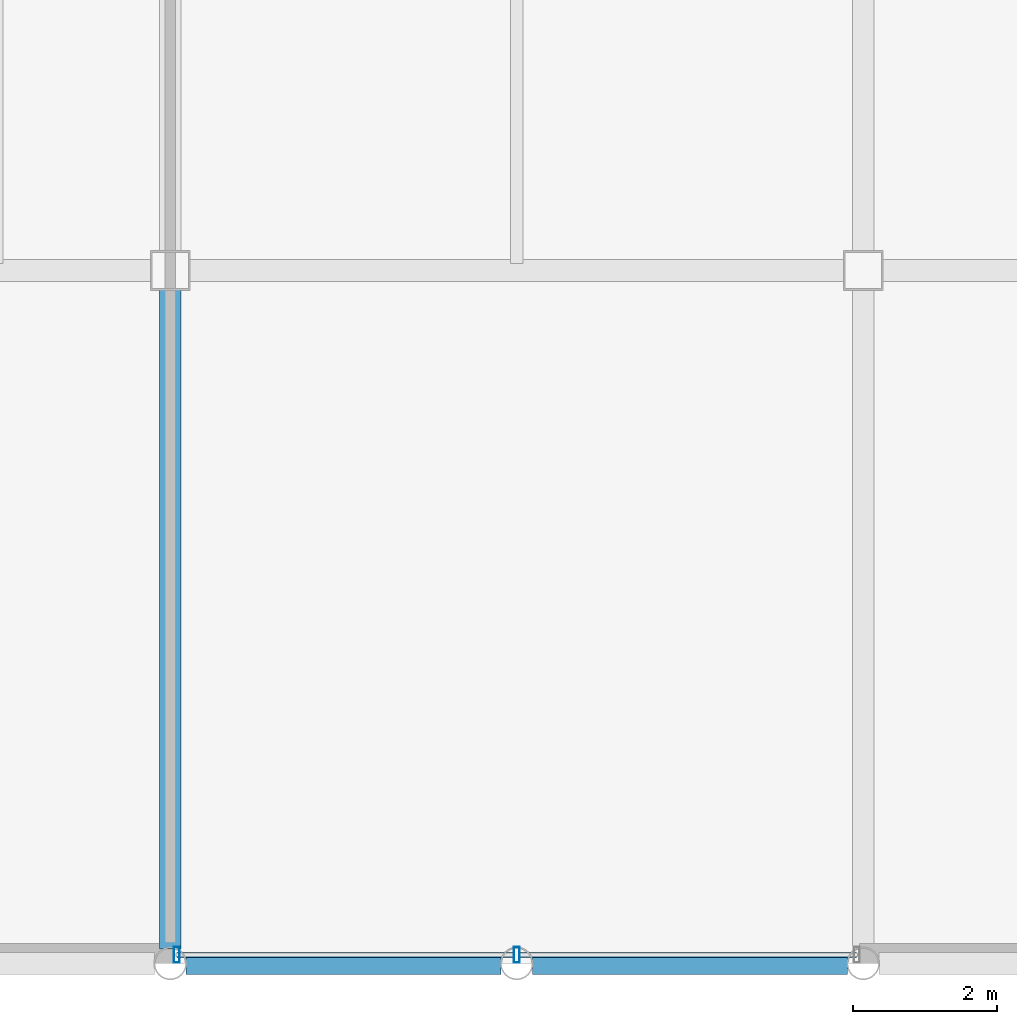
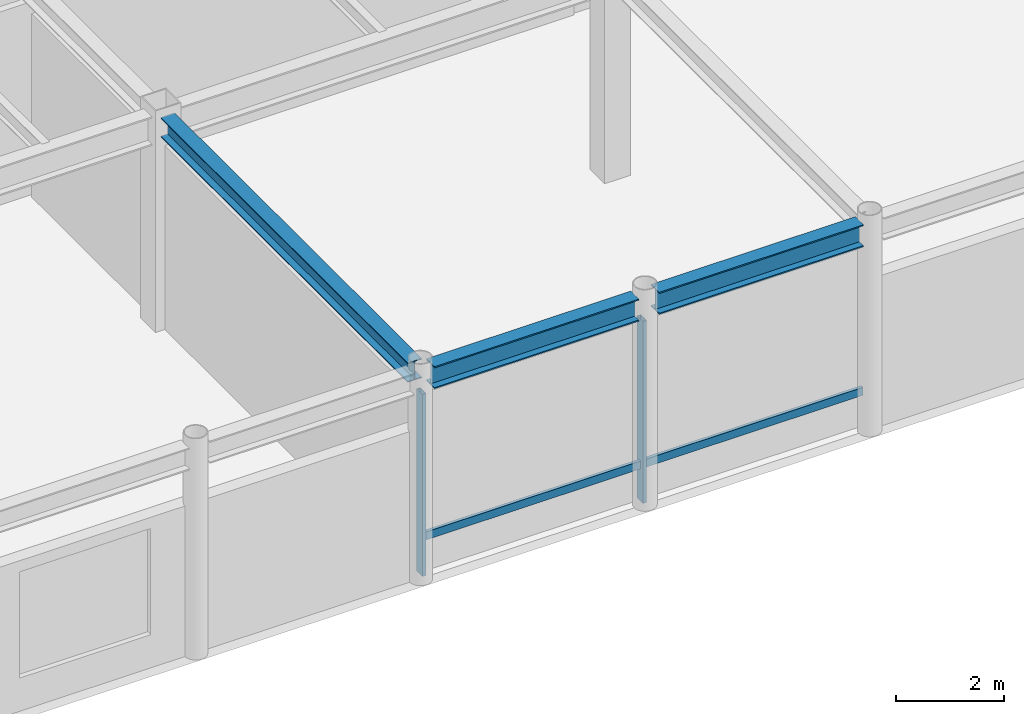
# One storey, part 5 of 21: 4 members, 3 beams, 1 element without a shape of its own.
"""IFC4 building model written with IfcOpenShell, lengths in metres."""

from ifc_helpers import new_model, si_unit, direction, frame, origin, origin_2d, place, context, subcontext, project, spatial, hollow_rectangle, i_section, extrude, material, layer, layer_set, material_profile, profile_set, type_object, element, aggregate, save


model = new_model("IFC4")

# Units and contexts
model_context = context("Model", 3, precision=1e-05, world=origin(), true_north=direction((0.0, 1.0)))
body_context = subcontext(model_context, "Body", "Model", "MODEL_VIEW")
ifc_project = project(units=[si_unit("LENGTHUNIT", "METRE"), si_unit("AREAUNIT", "SQUARE_METRE"), si_unit("VOLUMEUNIT", "CUBIC_METRE"), si_unit("PLANEANGLEUNIT", "RADIAN"), si_unit("MASSUNIT", "GRAM", prefix="KILO")], contexts=[model_context])

# Site, building, storey
site_placement = place(None, origin())
site = spatial("IfcSite", under=ifc_project, at=site_placement, CompositionType="ELEMENT")
building_placement = place(site_placement, origin())
building = spatial("IfcBuilding", under=site, at=building_placement, Name="Kallvorn Hotel Tower", CompositionType="ELEMENT")
storey_placement = place(building_placement, frame((0.0, 0.0, 290.60009765625)))
storey = spatial("IfcBuildingStorey", under=building, at=storey_placement, Name="L72", CompositionType="ELEMENT", Elevation=290.60009765625)

# Beams
ifc_material_1 = material(Name="Structural steel S355JR", Category="steel")
ifc_material_profile_1 = material_profile(ifc_material_1, i_section(OverallWidth=0.300048828125, OverallDepth=0.43994140625, WebThickness=0.011474609375, FlangeThickness=0.02099609375, at=origin_2d()), Name="HE 450 A")
ifc_profile_set_1 = profile_set([ifc_material_profile_1], Name="Structural steel S355JR")
beam_type_1 = type_object("IfcBeamType", Name="BM_HE450A", PredefinedType="BEAM", material=ifc_profile_set_1)
beam_placement = place(storey_placement, frame((-4.800048828125, -23.79638671875, 4.579833984375), z_axis=(0.0, 1.0, 0.0), x_axis=(-1.0, 0.0, 0.0)))
element("IfcBeam", 1, at=beam_placement, inside=storey, type_object=beam_type_1, Name="L73 Primary Y-Girder 37", PredefinedType="BEAM", context=body_context, shape_type="SweptSolid", body=[
    extrude(i_section(OverallWidth=0.300048828125, OverallDepth=0.43994140625, WebThickness=0.011474609375, FlangeThickness=0.02099609375, at=origin_2d()), origin(), (0.0, 0.0, 1.0), 9.146484375),
])
ifc_material_2 = material(Name="Structural steel S355JR", Category="steel")
ifc_material_profile_2 = material_profile(ifc_material_2, i_section(OverallWidth=0.300048828125, OverallDepth=0.5, WebThickness=0.014404296875, FlangeThickness=0.028076171875, at=origin_2d()), Name="HE 500 B")
ifc_profile_set_2 = profile_set([ifc_material_profile_2], Name="Structural steel S355JR")
beam_type_2 = type_object("IfcBeamType", Name="BM_HE500B", PredefinedType="SPANDREL", material=ifc_profile_set_2)
for number, where, z_axis, x_axis, name in (
    (2, (-4.58154296875, -24.0, 4.5498046875), (1.0, 0.0, 0.0), (0.0, 1.0, 0.0), "L73 Perimeter Spandrel 58"),
    (3, (0.218505859375, -24.0, 4.5498046875), (1.0, 0.0, 0.0), (0.0, 1.0, 0.0), "L73 Perimeter Spandrel 59"),
):
    element("IfcBeam", number, at=place(storey_placement, frame(where, z_axis=z_axis, x_axis=x_axis)), inside=storey, type_object=beam_type_2, Name=name, PredefinedType="SPANDREL", context=body_context, shape_type="SweptSolid", body=[
        extrude(i_section(OverallWidth=0.300048828125, OverallDepth=0.5, WebThickness=0.014404296875, FlangeThickness=0.028076171875, at=origin_2d()), origin(), (0.0, 0.0, 1.0), 4.363037109375),
    ])

# Curtain wall, members
ifc_material_3 = material(Name="Thermally broken black-anodised aluminium AA 6063-T6", Category="aluminium")
ifc_layer = layer(ifc_material_3, 0.25)
ifc_layer_set = layer_set([ifc_layer], Name="CW_SYS_6_SUMMIT_OBS")
curtain_wall_type = type_object("IfcCurtainWallType", Name="CW_SYS_6_SUMMIT_OBS", PredefinedType="USERDEFINED", material=ifc_layer_set)
curtain_wall_placement = place(storey_placement, origin())
curtain_wall = element("IfcCurtainWall", 4, at=curtain_wall_placement, inside=storey, type_object=curtain_wall_type, Name="L72 Dark-Glass Curtain Wall CW-L72-SC", ObjectType="UNITISED CURTAIN WALL", PredefinedType="USERDEFINED")
ifc_material_4 = material(Name="Thermally broken black-anodised aluminium AA 6063-T6", Category="aluminium")
ifc_material_profile_3 = material_profile(ifc_material_4, hollow_rectangle(XDim=0.080078125, YDim=0.219970703125, WallThickness=0.0048828125, at=origin_2d()), Name="MUL 220x80")
ifc_profile_set_3 = profile_set([ifc_material_profile_3], Name="Thermally broken black-anodised aluminium AA 6063-T6")
member_type_1 = type_object("IfcMemberType", Name="CW_MULLION_220x80", PredefinedType="MULLION", material=ifc_profile_set_3)
member_1_placement = place(storey_placement, frame((-4.7099609375, -23.8798828125, 0.02001953125), z_axis=(0.0, 0.0, 1.0), x_axis=(1.0, 0.0, 0.0)))
member_1 = element("IfcMember", 5, at=member_1_placement, type_object=member_type_1, Name="CW-L72-SC Mullion 00", PredefinedType="MULLION", context=body_context, shape_type="SweptSolid", body=[
    extrude(hollow_rectangle(XDim=0.080078125, YDim=0.219970703125, WallThickness=0.0048828125, at=origin_2d()), origin(), (0.0, 0.0, 1.0), 4.10986328125),
])
member_2_placement = place(storey_placement, frame((0.0, -23.8798828125, 0.02001953125), z_axis=(0.0, 0.0, 1.0), x_axis=(1.0, 0.0, 0.0)))
member_2 = element("IfcMember", 6, at=member_2_placement, type_object=member_type_1, Name="CW-L72-SC Mullion 01", PredefinedType="MULLION", context=body_context, shape_type="SweptSolid", body=[
    extrude(hollow_rectangle(XDim=0.080078125, YDim=0.219970703125, WallThickness=0.0048828125, at=origin_2d()), origin(), (0.0, 0.0, 1.0), 4.10986328125),
])
ifc_material_5 = material(Name="Thermally broken black-anodised aluminium AA 6063-T6", Category="aluminium")
ifc_material_profile_4 = material_profile(ifc_material_5, hollow_rectangle(XDim=0.070068359375, YDim=0.179931640625, WallThickness=0.00390625, at=origin_2d()), Name="TRN 180x70")
ifc_profile_set_4 = profile_set([ifc_material_profile_4], Name="Thermally broken black-anodised aluminium AA 6063-T6")
member_type_2 = type_object("IfcMemberType", Name="CW_TRANSOM_180x70", PredefinedType="USERDEFINED", material=ifc_profile_set_4)
member_3_placement = place(storey_placement, frame((-4.7099609375, -23.8798828125, 0.849853515625), z_axis=(1.0, 0.0, 0.0), x_axis=(0.0, 1.0, 0.0)))
member_3 = element("IfcMember", 7, at=member_3_placement, type_object=member_type_2, Name="CW-L72-SC Transom 00M", ObjectType="TRANSOM", PredefinedType="USERDEFINED", context=body_context, shape_type="SweptSolid", body=[
    extrude(hollow_rectangle(XDim=0.070068359375, YDim=0.179931640625, WallThickness=0.00390625, at=origin_2d()), origin(), (0.0, 0.0, 1.0), 4.669921875),
])
member_4_placement = place(storey_placement, frame((0.0400390625, -23.8798828125, 0.849853515625), z_axis=(1.0, 0.0, 0.0), x_axis=(0.0, 1.0, 0.0)))
member_4 = element("IfcMember", 8, at=member_4_placement, type_object=member_type_2, Name="CW-L72-SC Transom 01M", ObjectType="TRANSOM", PredefinedType="USERDEFINED", context=body_context, shape_type="SweptSolid", body=[
    extrude(hollow_rectangle(XDim=0.070068359375, YDim=0.179931640625, WallThickness=0.00390625, at=origin_2d()), origin(), (0.0, 0.0, 1.0), 4.669921875),
])
aggregate(curtain_wall, [member_1, member_2, member_3, member_4])

save(model, "model.ifc")
